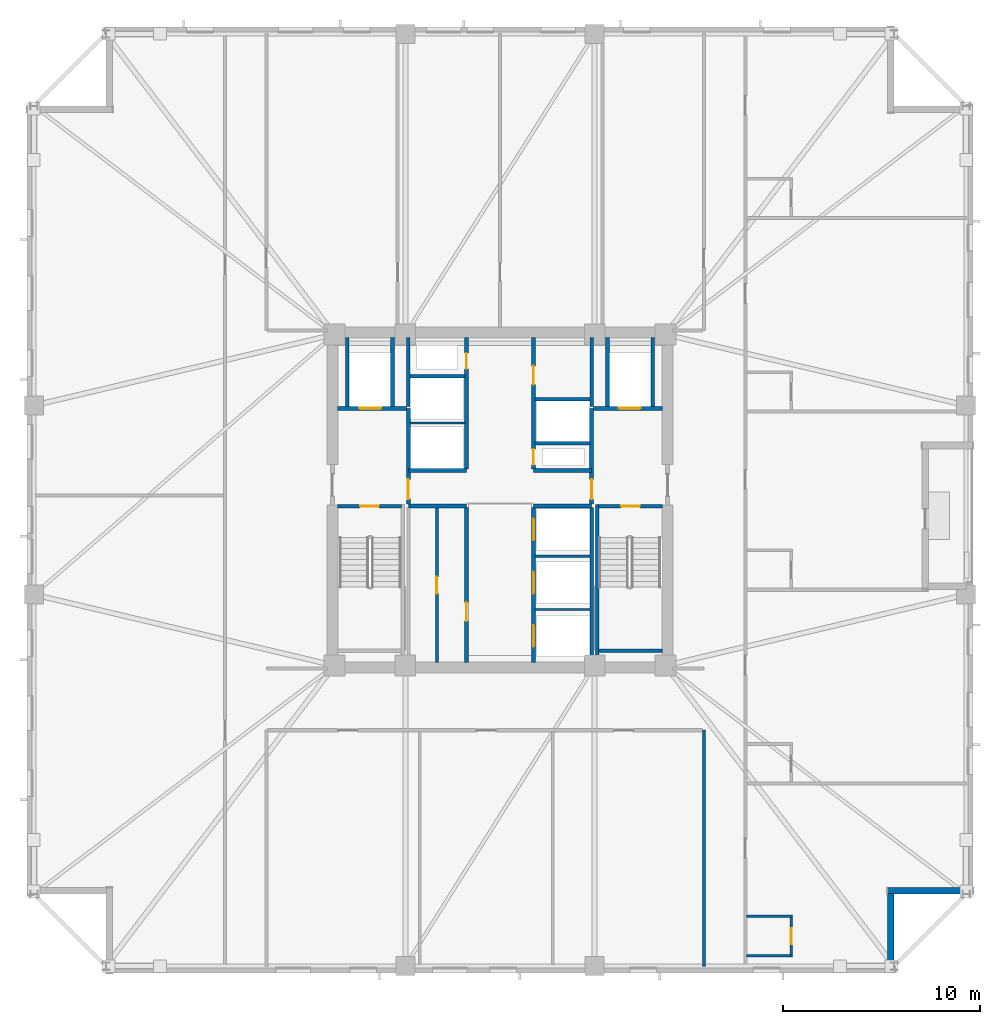
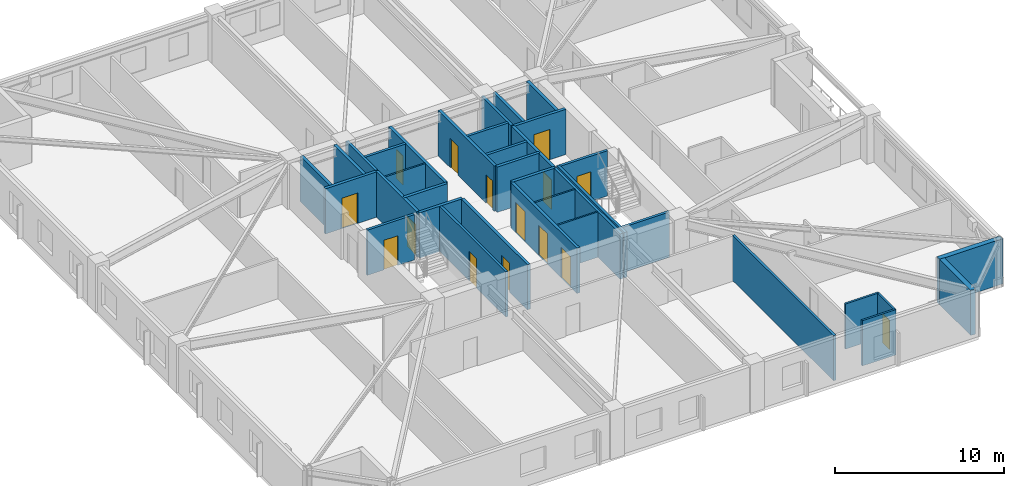
# One storey, part 3 of 10: 36 walls, 15 doors, 15 openings.
"""IFC4 building model written with IfcOpenShell, lengths in metres."""

from ifc_helpers import new_model, si_unit, direction, frame, frame_2d, origin, place, context, subcontext, project, spatial, rectangle, extrude, material, layer, layer_set, type_object, element, fill, save


model = new_model("IFC4")

# Units and contexts
model_context = context("Model", 3, precision=1e-05, world=origin(), true_north=direction((0.0, 1.0)))
body_context = subcontext(model_context, "Body", "Model", "MODEL_VIEW")
ifc_project = project(units=[si_unit("LENGTHUNIT", "METRE"), si_unit("AREAUNIT", "SQUARE_METRE"), si_unit("VOLUMEUNIT", "CUBIC_METRE"), si_unit("PLANEANGLEUNIT", "RADIAN"), si_unit("MASSUNIT", "GRAM", prefix="KILO")], contexts=[model_context])

# Site, building, storey
site_placement = place(None, origin())
site = spatial("IfcSite", under=ifc_project, at=site_placement, CompositionType="ELEMENT")
building_placement = place(site_placement, origin())
building = spatial("IfcBuilding", under=site, at=building_placement, Name="Cairnveth Concourse Tower", CompositionType="ELEMENT")
storey_placement = place(building_placement, frame((0.0, 0.0, 183.0)))
storey = spatial("IfcBuildingStorey", under=building, at=storey_placement, Name="L50", CompositionType="ELEMENT", Elevation=183.0)

# Wall, opening, door
ifc_material_1 = material(Name="Gypsum Plasterboard Partition", Category="gypsum")
ifc_layer_1 = layer(ifc_material_1, 0.159912109375)
ifc_layer_set_1 = layer_set([ifc_layer_1], Name="Gypsum Plasterboard Partition")
wall_type_1 = type_object("IfcWallType", Name="ACOUSTIC PARTY WALL 180", PredefinedType="PARTITIONING", material=ifc_layer_set_1)
wall_1_placement = place(storey_placement, frame((48.800048828125, 30.760009765625, 0.0), z_axis=(0.0, 0.0, 1.0), x_axis=(0.0, 1.0, 0.0)))
wall_1 = element("IfcWall", 1, at=wall_1_placement, inside=storey, type_object=wall_type_1, Name="Interior Wall IW-L50-026", PredefinedType="PARTITIONING", context=body_context, shape_type="SweptSolid", body=[
    extrude(rectangle(XDim=7.85498046875, YDim=0.159912109375, at=frame_2d((3.927490234375, 0.0))), origin(), (0.0, 0.0, 1.0), 3.280029296875),
])
opening_1_placement = place(wall_1_placement, frame((3.489990234375, 0.0, 0.0)))
opening_1 = element("IfcOpeningElement", 2, at=opening_1_placement, cuts=wall_1, Name="Opening ID19", PredefinedType="OPENING", context=body_context, shape_type="SweptSolid", body=[
    extrude(rectangle(XDim=0.85009765625, YDim=2.1201171875, at=frame_2d((0.425048828125, 1.06005859375))), frame((0.0, 0.08984375, 0.0), z_axis=(0.0, -1.0, 0.0), x_axis=(1.0, 0.0, 0.0)), (0.0, 0.0, 1.0), 0.179931640625),
])
ifc_material_2 = material(Name="Steel Grade 350", Category="steel")
door_type_1 = type_object("IfcDoorType", Name="CORE SERVICE DOOR 850X2100", OperationType="NOTDEFINED", PredefinedType="DOOR", material=ifc_material_2)
door_1_placement = place(opening_1_placement, origin())
door_1 = element("IfcDoor", 3, at=door_1_placement, inside=storey, type_object=door_type_1, Name="Inner Store Door L50", OperationType="SINGLE_SWING_RIGHT", OverallHeight=2.1201171875, OverallWidth=0.85009765625, PredefinedType="DOOR", context=body_context, shape_type="SweptSolid", body=[
    extrude(rectangle(XDim=0.85009765625, YDim=2.1201171875, at=frame_2d((0.425048828125, 1.06005859375))), frame((0.0, 0.02490234375, 0.0), z_axis=(0.0, -1.0, 0.0), x_axis=(1.0, 0.0, 0.0)), (0.0, 0.0, 1.0), 0.050048828125),
])
fill(opening_1, door_1)

# Walls
wall_2_placement = place(storey_placement, frame((62.35009765625, 15.324951171875, 0.0), z_axis=(0.0, 0.0, 1.0), x_axis=(0.0, 1.0, 0.0)))
element("IfcWall", 4, at=wall_2_placement, inside=storey, type_object=wall_type_1, Name="Interior Wall IW-L50-042", PredefinedType="PARTITIONING", context=body_context, shape_type="SweptSolid", body=[
    extrude(rectangle(XDim=11.9951171875, YDim=0.159912109375, at=frame_2d((5.99755859375, 0.0))), origin(), (0.0, 0.0, 1.0), 3.280029296875),
])
ifc_material_3 = material(Name="Concrete N50 (50 MPa)", Category="concrete")
ifc_layer_2 = layer(ifc_material_3, 0.179931640625)
ifc_layer_set_2 = layer_set([ifc_layer_2], Name="Concrete N50 (50 MPa)")
wall_type_2 = type_object("IfcWallType", Name="FIRE SHAFT WALL 180", PredefinedType="SOLIDWALL", material=ifc_layer_set_2)
wall_3_placement = place(storey_placement, frame((56.64990234375, 30.760009765625, 0.0), z_axis=(0.0, 0.0, 1.0), x_axis=(0.0, 1.0, 0.0)))
element("IfcWall", 5, at=wall_3_placement, inside=storey, type_object=wall_type_2, Name="Interior Wall IW-L50-027", PredefinedType="SOLIDWALL", context=body_context, shape_type="SweptSolid", body=[
    extrude(rectangle(XDim=7.85498046875, YDim=0.179931640625, at=frame_2d((3.927490234375, 0.0))), origin(), (0.0, 0.0, 1.0), 3.280029296875),
])
wall_4_placement = place(storey_placement, frame((47.35009765625, 43.735107421875, 0.0), z_axis=(0.0, 0.0, 1.0), x_axis=(0.0, 1.0, 0.0)))
element("IfcWall", 6, at=wall_4_placement, inside=storey, type_object=wall_type_2, Name="Interior Wall IW-L50-030", PredefinedType="SOLIDWALL", context=body_context, shape_type="SweptSolid", body=[
    extrude(rectangle(XDim=3.5048828125, YDim=0.179931640625, at=frame_2d((1.75244140625, 0.0))), origin(), (0.0, 0.0, 1.0), 3.280029296875),
])
wall_5_placement = place(storey_placement, frame((47.425048828125, 45.280029296875, 0.0), z_axis=(0.0, 0.0, 1.0), x_axis=(1.0, 0.0, 0.0)))
element("IfcWall", 7, at=wall_5_placement, inside=storey, type_object=wall_type_2, Name="Interior Wall IW-L50-032", PredefinedType="SOLIDWALL", context=body_context, shape_type="SweptSolid", body=[
    extrude(rectangle(XDim=2.7900390625, YDim=0.179931640625, at=frame_2d((1.39501953125, 0.0))), origin(), (0.0, 0.0, 1.0), 3.280029296875),
])
wall_6_placement = place(storey_placement, frame((56.64990234375, 43.735107421875, 0.0), z_axis=(0.0, 0.0, 1.0), x_axis=(0.0, 1.0, 0.0)))
element("IfcWall", 8, at=wall_6_placement, inside=storey, type_object=wall_type_2, Name="Interior Wall IW-L50-033", PredefinedType="SOLIDWALL", context=body_context, shape_type="SweptSolid", body=[
    extrude(rectangle(XDim=3.5048828125, YDim=0.179931640625, at=frame_2d((1.75244140625, 0.0))), origin(), (0.0, 0.0, 1.0), 3.280029296875),
])
wall_7_placement = place(storey_placement, frame((53.784912109375, 41.8798828125, 0.0), z_axis=(0.0, 0.0, 1.0), x_axis=(1.0, 0.0, 0.0)))
element("IfcWall", 9, at=wall_7_placement, inside=storey, type_object=wall_type_2, Name="Interior Wall IW-L50-034", PredefinedType="SOLIDWALL", context=body_context, shape_type="SweptSolid", body=[
    extrude(rectangle(XDim=2.780029296875, YDim=0.179931640625, at=frame_2d((1.39013671875, 0.0))), origin(), (0.0, 0.0, 1.0), 3.280029296875),
])
wall_8_placement = place(storey_placement, frame((53.784912109375, 44.1201171875, 0.0), z_axis=(0.0, 0.0, 1.0), x_axis=(1.0, 0.0, 0.0)))
element("IfcWall", 10, at=wall_8_placement, inside=storey, type_object=wall_type_2, Name="Interior Wall IW-L50-035", PredefinedType="SOLIDWALL", context=body_context, shape_type="SweptSolid", body=[
    extrude(rectangle(XDim=2.7900390625, YDim=0.179931640625, at=frame_2d((1.39501953125, 0.0))), origin(), (0.0, 0.0, 1.0), 3.280029296875),
])

# Wall, opening, door
wall_9_placement = place(storey_placement, frame((43.764892578125, 38.68994140625, 0.0), z_axis=(0.0, 0.0, 1.0), x_axis=(1.0, 0.0, 0.0)))
wall_9 = element("IfcWall", 11, at=wall_9_placement, inside=storey, type_object=wall_type_2, Name="Stair ST-1 Shaft Wall NEAR L50", PredefinedType="SOLIDWALL", context=body_context, shape_type="SweptSolid", body=[
    extrude(rectangle(XDim=3.230224609375, YDim=0.179931640625, at=frame_2d((1.615234375, 0.0))), origin(), (0.0, 0.0, 1.0), 3.280029296875),
])
opening_2_placement = place(wall_9_placement, frame((1.139892578125, 0.0, 0.0)))
opening_2 = element("IfcOpeningElement", 12, at=opening_2_placement, cuts=wall_9, Name="Opening ID12", PredefinedType="OPENING", context=body_context, shape_type="SweptSolid", body=[
    extrude(rectangle(XDim=0.949951171875, YDim=2.14990234375, at=frame_2d((0.47509765625, 1.074951171875))), frame((0.0, 0.099853515625, 0.0), z_axis=(0.0, -1.0, 0.0), x_axis=(1.0, 0.0, 0.0)), (0.0, 0.0, 1.0), 0.199951171875),
])
door_type_2 = type_object("IfcDoorType", Name="FIRE STAIR DOOR 950X2150", OperationType="NOTDEFINED", PredefinedType="DOOR", material=ifc_material_2)
door_2_placement = place(opening_2_placement, origin())
door_2 = element("IfcDoor", 13, at=door_2_placement, inside=storey, type_object=door_type_2, Name="Stair ST-1 Fire Door L50", OperationType="SINGLE_SWING_LEFT", OverallHeight=2.14990234375, OverallWidth=0.949951171875, PredefinedType="DOOR", context=body_context, shape_type="SweptSolid", body=[
    extrude(rectangle(XDim=0.949951171875, YDim=2.14990234375, at=frame_2d((0.47509765625, 1.074951171875))), frame((0.0, 0.02490234375, 0.0), z_axis=(0.0, -1.0, 0.0), x_axis=(1.0, 0.0, 0.0)), (0.0, 0.0, 1.0), 0.050048828125),
])
fill(opening_2, door_2)

wall_10_placement = place(storey_placement, frame((57.0048828125, 38.68994140625, 0.0), z_axis=(0.0, 0.0, 1.0), x_axis=(1.0, 0.0, 0.0)))
wall_10 = element("IfcWall", 14, at=wall_10_placement, inside=storey, type_object=wall_type_2, Name="Stair ST-2 Shaft Wall NEAR L50", PredefinedType="SOLIDWALL", context=body_context, shape_type="SweptSolid", body=[
    extrude(rectangle(XDim=3.230224609375, YDim=0.179931640625, at=frame_2d((1.615234375, 0.0))), origin(), (0.0, 0.0, 1.0), 3.280029296875),
])
opening_3_placement = place(wall_10_placement, frame((1.139892578125, 0.0, 0.0)))
opening_3 = element("IfcOpeningElement", 15, at=opening_3_placement, cuts=wall_10, Name="Opening ID12", PredefinedType="OPENING", context=body_context, shape_type="SweptSolid", body=[
    extrude(rectangle(XDim=0.949951171875, YDim=2.14990234375, at=frame_2d((0.47509765625, 1.074951171875))), frame((0.0, 0.099853515625, 0.0), z_axis=(0.0, -1.0, 0.0), x_axis=(1.0, 0.0, 0.0)), (0.0, 0.0, 1.0), 0.199951171875),
])
door_3_placement = place(opening_3_placement, origin())
door_3 = element("IfcDoor", 16, at=door_3_placement, inside=storey, type_object=door_type_2, Name="Stair ST-2 Fire Door L50", OperationType="SINGLE_SWING_RIGHT", OverallHeight=2.14990234375, OverallWidth=0.949951171875, PredefinedType="DOOR", context=body_context, shape_type="SweptSolid", body=[
    extrude(rectangle(XDim=0.949951171875, YDim=2.14990234375, at=frame_2d((0.47509765625, 1.074951171875))), frame((0.0, 0.02490234375, 0.0), z_axis=(0.0, -1.0, 0.0), x_axis=(1.0, 0.0, 0.0)), (0.0, 0.0, 1.0), 0.050048828125),
])
fill(opening_3, door_3)

# Walls
wall_11_placement = place(storey_placement, frame((57.0048828125, 31.360107421875, 0.0), z_axis=(0.0, 0.0, 1.0), x_axis=(1.0, 0.0, 0.0)))
element("IfcWall", 17, at=wall_11_placement, inside=storey, type_object=wall_type_2, Name="Stair ST-2 Shaft Wall FAR L50", PredefinedType="SOLIDWALL", context=body_context, shape_type="SweptSolid", body=[
    extrude(rectangle(XDim=3.230224609375, YDim=0.179931640625, at=frame_2d((1.615234375, 0.0))), origin(), (0.0, 0.0, 1.0), 3.280029296875),
])
wall_12_placement = place(storey_placement, frame((56.929931640625, 38.780029296875, 0.0), z_axis=(0.0, 0.0, 1.0), x_axis=(0.0, -1.0, 0.0)))
element("IfcWall", 18, at=wall_12_placement, inside=storey, type_object=wall_type_2, Name="Stair ST-2 Shaft Wall LEFT L50", PredefinedType="SOLIDWALL", context=body_context, shape_type="SweptSolid", body=[
    extrude(rectangle(XDim=8.01708984375, YDim=0.179931640625, at=frame_2d((4.008544921875, 0.0))), origin(), (0.0, 0.0, 1.0), 3.280029296875),
])
ifc_layer_3 = layer(ifc_material_3, 0.199951171875)
ifc_layer_set_3 = layer_set([ifc_layer_3], Name="Concrete N50 (50 MPa)")
wall_type_3 = type_object("IfcWallType", Name="FIRE SHAFT WALL 200", PredefinedType="SOLIDWALL", material=ifc_layer_set_3)
for number, where, z_axis, x_axis, name in (
    (19, (47.35009765625, 38.699951171875, 0.0), (0.0, 0.0, 1.0), (1.0, 0.0, 0.0), "Interior Wall IW-L50-007"),
    (20, (47.35009765625, 40.5, 0.0), (0.0, 0.0, 1.0), (1.0, 0.0, 0.0), "Interior Wall IW-L50-008"),
    (21, (53.699951171875, 38.699951171875, 0.0), (0.0, 0.0, 1.0), (1.0, 0.0, 0.0), "Interior Wall IW-L50-009"),
    (22, (53.699951171875, 40.5, 0.0), (0.0, 0.0, 1.0), (1.0, 0.0, 0.0), "Interior Wall IW-L50-010"),
):
    element("IfcWall", number, at=place(storey_placement, frame(where, z_axis=z_axis, x_axis=x_axis)), inside=storey, type_object=wall_type_3, Name=name, PredefinedType="SOLIDWALL", context=body_context, shape_type="SweptSolid", body=[
        extrude(rectangle(XDim=2.949951171875, YDim=0.199951171875, at=frame_2d((1.47509765625, 0.0))), origin(), (0.0, 0.0, 1.0), 3.280029296875),
    ])

# Wall, opening, door
wall_13_placement = place(storey_placement, frame((50.300048828125, 30.760009765625, 0.0), z_axis=(0.0, 0.0, 1.0), x_axis=(0.0, 1.0, 0.0)))
wall_13 = element("IfcWall", 23, at=wall_13_placement, inside=storey, type_object=wall_type_3, Name="Interior Wall IW-L50-011", PredefinedType="SOLIDWALL", context=body_context, shape_type="SweptSolid", body=[
    extrude(rectangle(XDim=7.85498046875, YDim=0.199951171875, at=frame_2d((3.927490234375, 0.0))), origin(), (0.0, 0.0, 1.0), 3.280029296875),
])
opening_4_placement = place(wall_13_placement, frame((2.090087890625, 0.0, 0.0)))
opening_4 = element("IfcOpeningElement", 24, at=opening_4_placement, cuts=wall_13, Name="Opening ID25", PredefinedType="OPENING", context=body_context, shape_type="SweptSolid", body=[
    extrude(rectangle(XDim=0.949951171875, YDim=2.1201171875, at=frame_2d((0.47509765625, 1.06005859375))), frame((0.0, 0.10986328125, 0.0), z_axis=(0.0, -1.0, 0.0), x_axis=(1.0, 0.0, 0.0)), (0.0, 0.0, 1.0), 0.219970703125),
])
door_type_3 = type_object("IfcDoorType", Name="CORE ACCESSIBLE FIRE DOOR 950X2120", OperationType="NOTDEFINED", PredefinedType="DOOR", material=ifc_material_2)
door_4_placement = place(opening_4_placement, origin())
door_4 = element("IfcDoor", 25, at=door_4_placement, inside=storey, type_object=door_type_3, Name="Accessible WC Suite Door L50", OperationType="SINGLE_SWING_LEFT", OverallHeight=2.1201171875, OverallWidth=0.949951171875, PredefinedType="DOOR", context=body_context, shape_type="SweptSolid", body=[
    extrude(rectangle(XDim=0.949951171875, YDim=2.1201171875, at=frame_2d((0.47509765625, 1.06005859375))), frame((0.0, 0.02490234375, 0.0), z_axis=(0.0, -1.0, 0.0), x_axis=(1.0, 0.0, 0.0)), (0.0, 0.0, 1.0), 0.050048828125),
])
fill(opening_4, door_4)

# Wall, openings, doors
wall_14_placement = place(storey_placement, frame((53.699951171875, 30.760009765625, 0.0), z_axis=(0.0, 0.0, 1.0), x_axis=(0.0, 1.0, 0.0)))
wall_14 = element("IfcWall", 26, at=wall_14_placement, inside=storey, type_object=wall_type_3, Name="Interior Wall IW-L50-012", PredefinedType="SOLIDWALL", context=body_context, shape_type="SweptSolid", body=[
    extrude(rectangle(XDim=7.85498046875, YDim=0.199951171875, at=frame_2d((3.927490234375, 0.0))), origin(), (0.0, 0.0, 1.0), 3.280029296875),
])
opening_5_placement = place(wall_14_placement, frame((0.7900390625, 0.0, 0.0)))
opening_5 = element("IfcOpeningElement", 27, at=opening_5_placement, cuts=wall_14, Name="Opening LD-1", PredefinedType="OPENING", context=body_context, shape_type="SweptSolid", body=[
    extrude(rectangle(XDim=1.10009765625, YDim=2.199951171875, at=frame_2d((0.550048828125, 1.10009765625))), frame((0.0, 0.10986328125, 0.0), z_axis=(0.0, -1.0, 0.0), x_axis=(1.0, 0.0, 0.0)), (0.0, 0.0, 1.0), 0.219970703125),
])
opening_6_placement = place(wall_14_placement, frame((3.489990234375, 0.0, 0.0)))
opening_6 = element("IfcOpeningElement", 28, at=opening_6_placement, cuts=wall_14, Name="Opening LD-1", PredefinedType="OPENING", context=body_context, shape_type="SweptSolid", body=[
    extrude(rectangle(XDim=1.10009765625, YDim=2.199951171875, at=frame_2d((0.550048828125, 1.10009765625))), frame((0.0, 0.10986328125, 0.0), z_axis=(0.0, -1.0, 0.0), x_axis=(1.0, 0.0, 0.0)), (0.0, 0.0, 1.0), 0.219970703125),
])
opening_7_placement = place(wall_14_placement, frame((6.18994140625, 0.0, 0.0)))
opening_7 = element("IfcOpeningElement", 29, at=opening_7_placement, cuts=wall_14, Name="Opening LD-1", PredefinedType="OPENING", context=body_context, shape_type="SweptSolid", body=[
    extrude(rectangle(XDim=1.10009765625, YDim=2.199951171875, at=frame_2d((0.550048828125, 1.10009765625))), frame((0.0, 0.10986328125, 0.0), z_axis=(0.0, -1.0, 0.0), x_axis=(1.0, 0.0, 0.0)), (0.0, 0.0, 1.0), 0.219970703125),
])
ifc_material_4 = material(Name="Architectural Bronze Anodised Aluminium 6063-T6", Category="aluminium")
door_type_4 = type_object("IfcDoorType", Name="LIFT LANDING DOOR 1100X2200", OperationType="SLIDING_TO_LEFT", PredefinedType="DOOR", material=ifc_material_4)
door_5_placement = place(opening_5_placement, origin())
door_5 = element("IfcDoor", 30, at=door_5_placement, inside=storey, type_object=door_type_4, Name="Lift PL4 Landing Door L50", OperationType="SLIDING_TO_LEFT", OverallHeight=2.199951171875, OverallWidth=1.10009765625, PredefinedType="DOOR", context=body_context, shape_type="SweptSolid", body=[
    extrude(rectangle(XDim=1.10009765625, YDim=2.199951171875, at=frame_2d((0.550048828125, 1.10009765625))), frame((0.0, 0.02490234375, 0.0), z_axis=(0.0, -1.0, 0.0), x_axis=(1.0, 0.0, 0.0)), (0.0, 0.0, 1.0), 0.050048828125),
])
fill(opening_5, door_5)
door_6_placement = place(opening_6_placement, origin())
door_6 = element("IfcDoor", 31, at=door_6_placement, inside=storey, type_object=door_type_4, Name="Lift PL5 Landing Door L50", OperationType="SLIDING_TO_LEFT", OverallHeight=2.199951171875, OverallWidth=1.10009765625, PredefinedType="DOOR", context=body_context, shape_type="SweptSolid", body=[
    extrude(rectangle(XDim=1.10009765625, YDim=2.199951171875, at=frame_2d((0.550048828125, 1.10009765625))), frame((0.0, 0.02490234375, 0.0), z_axis=(0.0, -1.0, 0.0), x_axis=(1.0, 0.0, 0.0)), (0.0, 0.0, 1.0), 0.050048828125),
])
fill(opening_6, door_6)
door_7_placement = place(opening_7_placement, origin())
door_7 = element("IfcDoor", 32, at=door_7_placement, inside=storey, type_object=door_type_4, Name="Lift PL6 Landing Door L50", OperationType="SLIDING_TO_LEFT", OverallHeight=2.199951171875, OverallWidth=1.10009765625, PredefinedType="DOOR", context=body_context, shape_type="SweptSolid", body=[
    extrude(rectangle(XDim=1.10009765625, YDim=2.199951171875, at=frame_2d((0.550048828125, 1.10009765625))), frame((0.0, 0.02490234375, 0.0), z_axis=(0.0, -1.0, 0.0), x_axis=(1.0, 0.0, 0.0)), (0.0, 0.0, 1.0), 0.050048828125),
])
fill(opening_7, door_7)

# Wall, opening, door
wall_15_placement = place(storey_placement, frame((50.300048828125, 40.5849609375, 0.0), z_axis=(0.0, 0.0, 1.0), x_axis=(0.0, 1.0, 0.0)))
wall_15 = element("IfcWall", 33, at=wall_15_placement, inside=storey, type_object=wall_type_3, Name="Interior Wall IW-L50-013", PredefinedType="SOLIDWALL", context=body_context, shape_type="SweptSolid", body=[
    extrude(rectangle(XDim=6.655029296875, YDim=0.199951171875, at=frame_2d((3.32763671875, 0.0))), origin(), (0.0, 0.0, 1.0), 3.280029296875),
])
opening_8_placement = place(wall_15_placement, frame((5.06494140625, 0.0, 0.0)))
opening_8 = element("IfcOpeningElement", 34, at=opening_8_placement, cuts=wall_15, Name="Opening ID24", PredefinedType="OPENING", context=body_context, shape_type="SweptSolid", body=[
    extrude(rectangle(XDim=0.800048828125, YDim=2.080078125, at=frame_2d((0.39990234375, 1.0400390625))), frame((0.0, 0.10986328125, 0.0), z_axis=(0.0, -1.0, 0.0), x_axis=(1.0, 0.0, 0.0)), (0.0, 0.0, 1.0), 0.219970703125),
])
door_type_5 = type_object("IfcDoorType", Name="RISER ACCESS DOOR 800X2100", OperationType="NOTDEFINED", PredefinedType="DOOR", material=ifc_material_2)
door_8_placement = place(opening_8_placement, origin())
door_8 = element("IfcDoor", 35, at=door_8_placement, inside=storey, type_object=door_type_5, Name="NW Electrical Riser Access Door L50", OperationType="SINGLE_SWING_RIGHT", OverallHeight=2.080078125, OverallWidth=0.800048828125, PredefinedType="DOOR", context=body_context, shape_type="SweptSolid", body=[
    extrude(rectangle(XDim=0.800048828125, YDim=2.080078125, at=frame_2d((0.39990234375, 1.0400390625))), frame((0.0, 0.02490234375, 0.0), z_axis=(0.0, -1.0, 0.0), x_axis=(1.0, 0.0, 0.0)), (0.0, 0.0, 1.0), 0.050048828125),
])
fill(opening_8, door_8)

# Wall, openings, doors
wall_16_placement = place(storey_placement, frame((53.699951171875, 40.5849609375, 0.0), z_axis=(0.0, 0.0, 1.0), x_axis=(0.0, 1.0, 0.0)))
wall_16 = element("IfcWall", 36, at=wall_16_placement, inside=storey, type_object=wall_type_3, Name="Interior Wall IW-L50-014", PredefinedType="SOLIDWALL", context=body_context, shape_type="SweptSolid", body=[
    extrude(rectangle(XDim=6.655029296875, YDim=0.199951171875, at=frame_2d((3.32763671875, 0.0))), origin(), (0.0, 0.0, 1.0), 3.280029296875),
])
opening_9_placement = place(wall_16_placement, frame((0.195068359375, 0.0, 0.0)))
opening_9 = element("IfcOpeningElement", 37, at=opening_9_placement, cuts=wall_16, Name="Opening ID24", PredefinedType="OPENING", context=body_context, shape_type="SweptSolid", body=[
    extrude(rectangle(XDim=0.800048828125, YDim=2.080078125, at=frame_2d((0.39990234375, 1.0400390625))), frame((0.0, 0.10986328125, 0.0), z_axis=(0.0, -1.0, 0.0), x_axis=(1.0, 0.0, 0.0)), (0.0, 0.0, 1.0), 0.219970703125),
])
opening_10_placement = place(wall_16_placement, frame((4.264892578125, 0.0, 0.0)))
opening_10 = element("IfcOpeningElement", 38, at=opening_10_placement, cuts=wall_16, Name="Opening ID25", PredefinedType="OPENING", context=body_context, shape_type="SweptSolid", body=[
    extrude(rectangle(XDim=0.949951171875, YDim=2.1201171875, at=frame_2d((0.47509765625, 1.06005859375))), frame((0.0, 0.10986328125, 0.0), z_axis=(0.0, -1.0, 0.0), x_axis=(1.0, 0.0, 0.0)), (0.0, 0.0, 1.0), 0.219970703125),
])
door_9_placement = place(opening_10_placement, origin())
door_9 = element("IfcDoor", 39, at=door_9_placement, inside=storey, type_object=door_type_3, Name="Core NE Accessible WC Door L50", OperationType="SINGLE_SWING_RIGHT", OverallHeight=2.1201171875, OverallWidth=0.949951171875, PredefinedType="DOOR", context=body_context, shape_type="SweptSolid", body=[
    extrude(rectangle(XDim=0.949951171875, YDim=2.1201171875, at=frame_2d((0.47509765625, 1.06005859375))), frame((0.0, 0.02490234375, 0.0), z_axis=(0.0, -1.0, 0.0), x_axis=(1.0, 0.0, 0.0)), (0.0, 0.0, 1.0), 0.050048828125),
])
fill(opening_10, door_9)
door_10_placement = place(opening_9_placement, origin())
door_10 = element("IfcDoor", 40, at=door_10_placement, inside=storey, type_object=door_type_5, Name="Hydraulic Riser Door L50", OperationType="SINGLE_SWING_LEFT", OverallHeight=2.080078125, OverallWidth=0.800048828125, PredefinedType="DOOR", context=body_context, shape_type="SweptSolid", body=[
    extrude(rectangle(XDim=0.800048828125, YDim=2.080078125, at=frame_2d((0.39990234375, 1.0400390625))), frame((0.0, 0.02490234375, 0.0), z_axis=(0.0, -1.0, 0.0), x_axis=(1.0, 0.0, 0.0)), (0.0, 0.0, 1.0), 0.050048828125),
])
fill(opening_9, door_10)

# Wall, opening, door
wall_17_placement = place(storey_placement, frame((47.35009765625, 38.784912109375, 0.0), z_axis=(0.0, 0.0, 1.0), x_axis=(0.0, 1.0, 0.0)))
wall_17 = element("IfcWall", 41, at=wall_17_placement, inside=storey, type_object=wall_type_3, Name="Interior Wall IW-L50-016", PredefinedType="SOLIDWALL", context=body_context, shape_type="SweptSolid", body=[
    extrude(rectangle(XDim=4.864990234375, YDim=0.199951171875, at=frame_2d((2.4326171875, 0.0))), origin(), (0.0, 0.0, 1.0), 3.280029296875),
])
opening_11_placement = place(wall_17_placement, frame((0.264892578125, 0.0, 0.0)))
opening_11 = element("IfcOpeningElement", 42, at=opening_11_placement, cuts=wall_17, Name="Opening ID07", PredefinedType="OPENING", context=body_context, shape_type="SweptSolid", body=[
    extrude(rectangle(XDim=1.0, YDim=2.14990234375, at=frame_2d((0.5, 1.074951171875))), frame((0.0, 0.10986328125, 0.0), z_axis=(0.0, -1.0, 0.0), x_axis=(1.0, 0.0, 0.0)), (0.0, 0.0, 1.0), 0.219970703125),
])
door_type_6 = type_object("IfcDoorType", Name="FIRE CORRIDOR DOOR 1000X2150", OperationType="NOTDEFINED", PredefinedType="DOOR", material=ifc_material_2)
door_11_placement = place(opening_11_placement, origin())
door_11 = element("IfcDoor", 43, at=door_11_placement, inside=storey, type_object=door_type_6, Name="FF Lobby West to Lift Lobby Door L50", OperationType="SINGLE_SWING_RIGHT", OverallHeight=2.14990234375, OverallWidth=1.0, PredefinedType="DOOR", context=body_context, shape_type="SweptSolid", body=[
    extrude(rectangle(XDim=1.0, YDim=2.14990234375, at=frame_2d((0.5, 1.074951171875))), frame((0.0, 0.02490234375, 0.0), z_axis=(0.0, -1.0, 0.0), x_axis=(1.0, 0.0, 0.0)), (0.0, 0.0, 1.0), 0.050048828125),
])
fill(opening_11, door_11)

wall_18_placement = place(storey_placement, frame((43.760009765625, 43.64990234375, 0.0), z_axis=(0.0, 0.0, 1.0), x_axis=(1.0, 0.0, 0.0)))
wall_18 = element("IfcWall", 44, at=wall_18_placement, inside=storey, type_object=wall_type_3, Name="Interior Wall IW-L50-017", PredefinedType="SOLIDWALL", context=body_context, shape_type="SweptSolid", body=[
    extrude(rectangle(XDim=3.5048828125, YDim=0.199951171875, at=frame_2d((1.75244140625, 0.0))), origin(), (0.0, 0.0, 1.0), 3.280029296875),
])
opening_12_placement = place(wall_18_placement, frame((1.110107421875, 0.0, 0.0)))
opening_12 = element("IfcOpeningElement", 45, at=opening_12_placement, cuts=wall_18, Name="Opening LD-1", PredefinedType="OPENING", context=body_context, shape_type="SweptSolid", body=[
    extrude(rectangle(XDim=1.10009765625, YDim=2.199951171875, at=frame_2d((0.550048828125, 1.10009765625))), frame((0.0, 0.10986328125, 0.0), z_axis=(0.0, -1.0, 0.0), x_axis=(1.0, 0.0, 0.0)), (0.0, 0.0, 1.0), 0.219970703125),
])
door_12_placement = place(opening_12_placement, origin())
door_12 = element("IfcDoor", 46, at=door_12_placement, inside=storey, type_object=door_type_4, Name="Lift FFL1 Landing Door L50", OperationType="SLIDING_TO_LEFT", OverallHeight=2.199951171875, OverallWidth=1.10009765625, PredefinedType="DOOR", context=body_context, shape_type="SweptSolid", body=[
    extrude(rectangle(XDim=1.10009765625, YDim=2.199951171875, at=frame_2d((0.550048828125, 1.10009765625))), frame((0.0, 0.02490234375, 0.0), z_axis=(0.0, -1.0, 0.0), x_axis=(1.0, 0.0, 0.0)), (0.0, 0.0, 1.0), 0.050048828125),
])
fill(opening_12, door_12)

# Walls
for number, where, z_axis, x_axis, name in (
    (47, (46.550048828125, 43.735107421875, 0.0), (0.0, 0.0, 1.0), (0.0, 1.0, 0.0), "Interior Wall IW-L50-018"),
    (48, (44.25, 43.735107421875, 0.0), (0.0, 0.0, 1.0), (0.0, 1.0, 0.0), "Interior Wall IW-L50-019"),
):
    element("IfcWall", number, at=place(storey_placement, frame(where, z_axis=z_axis, x_axis=x_axis)), inside=storey, type_object=wall_type_3, Name=name, PredefinedType="SOLIDWALL", context=body_context, shape_type="SweptSolid", body=[
        extrude(rectangle(XDim=3.5048828125, YDim=0.199951171875, at=frame_2d((1.75244140625, 0.0))), origin(), (0.0, 0.0, 1.0), 3.280029296875),
    ])

# Wall, opening, door
wall_19_placement = place(storey_placement, frame((56.64990234375, 38.784912109375, 0.0), z_axis=(0.0, 0.0, 1.0), x_axis=(0.0, 1.0, 0.0)))
wall_19 = element("IfcWall", 49, at=wall_19_placement, inside=storey, type_object=wall_type_3, Name="Interior Wall IW-L50-021", PredefinedType="SOLIDWALL", context=body_context, shape_type="SweptSolid", body=[
    extrude(rectangle(XDim=4.864990234375, YDim=0.199951171875, at=frame_2d((2.4326171875, 0.0))), origin(), (0.0, 0.0, 1.0), 3.280029296875),
])
opening_13_placement = place(wall_19_placement, frame((0.264892578125, 0.0, 0.0)))
opening_13 = element("IfcOpeningElement", 50, at=opening_13_placement, cuts=wall_19, Name="Opening ID07", PredefinedType="OPENING", context=body_context, shape_type="SweptSolid", body=[
    extrude(rectangle(XDim=1.0, YDim=2.14990234375, at=frame_2d((0.5, 1.074951171875))), frame((0.0, 0.10986328125, 0.0), z_axis=(0.0, -1.0, 0.0), x_axis=(1.0, 0.0, 0.0)), (0.0, 0.0, 1.0), 0.219970703125),
])
door_13_placement = place(opening_13_placement, origin())
door_13 = element("IfcDoor", 51, at=door_13_placement, inside=storey, type_object=door_type_6, Name="FF Lobby East to Lift Lobby Door L50", OperationType="SINGLE_SWING_LEFT", OverallHeight=2.14990234375, OverallWidth=1.0, PredefinedType="DOOR", context=body_context, shape_type="SweptSolid", body=[
    extrude(rectangle(XDim=1.0, YDim=2.14990234375, at=frame_2d((0.5, 1.074951171875))), frame((0.0, 0.02490234375, 0.0), z_axis=(0.0, -1.0, 0.0), x_axis=(1.0, 0.0, 0.0)), (0.0, 0.0, 1.0), 0.050048828125),
])
fill(opening_13, door_13)

wall_20_placement = place(storey_placement, frame((56.735107421875, 43.64990234375, 0.0), z_axis=(0.0, 0.0, 1.0), x_axis=(1.0, 0.0, 0.0)))
wall_20 = element("IfcWall", 52, at=wall_20_placement, inside=storey, type_object=wall_type_3, Name="Interior Wall IW-L50-022", PredefinedType="SOLIDWALL", context=body_context, shape_type="SweptSolid", body=[
    extrude(rectangle(XDim=3.5048828125, YDim=0.199951171875, at=frame_2d((1.75244140625, 0.0))), origin(), (0.0, 0.0, 1.0), 3.280029296875),
])
opening_14_placement = place(wall_20_placement, frame((1.294921875, 0.0, 0.0)))
opening_14 = element("IfcOpeningElement", 53, at=opening_14_placement, cuts=wall_20, Name="Opening LD-1", PredefinedType="OPENING", context=body_context, shape_type="SweptSolid", body=[
    extrude(rectangle(XDim=1.10009765625, YDim=2.199951171875, at=frame_2d((0.550048828125, 1.10009765625))), frame((0.0, 0.10986328125, 0.0), z_axis=(0.0, -1.0, 0.0), x_axis=(1.0, 0.0, 0.0)), (0.0, 0.0, 1.0), 0.219970703125),
])
door_14_placement = place(opening_14_placement, origin())
door_14 = element("IfcDoor", 54, at=door_14_placement, inside=storey, type_object=door_type_4, Name="Lift FFL2 Landing Door L50", OperationType="SLIDING_TO_LEFT", OverallHeight=2.199951171875, OverallWidth=1.10009765625, PredefinedType="DOOR", context=body_context, shape_type="SweptSolid", body=[
    extrude(rectangle(XDim=1.10009765625, YDim=2.199951171875, at=frame_2d((0.550048828125, 1.10009765625))), frame((0.0, 0.02490234375, 0.0), z_axis=(0.0, -1.0, 0.0), x_axis=(1.0, 0.0, 0.0)), (0.0, 0.0, 1.0), 0.050048828125),
])
fill(opening_14, door_14)

# Walls
for number, where, z_axis, x_axis, name in (
    (55, (57.449951171875, 43.735107421875, 0.0), (0.0, 0.0, 1.0), (0.0, 1.0, 0.0), "Interior Wall IW-L50-023"),
    (56, (59.75, 43.735107421875, 0.0), (0.0, 0.0, 1.0), (0.0, 1.0, 0.0), "Interior Wall IW-L50-024"),
):
    element("IfcWall", number, at=place(storey_placement, frame(where, z_axis=z_axis, x_axis=x_axis)), inside=storey, type_object=wall_type_3, Name=name, PredefinedType="SOLIDWALL", context=body_context, shape_type="SweptSolid", body=[
        extrude(rectangle(XDim=3.5048828125, YDim=0.199951171875, at=frame_2d((1.75244140625, 0.0))), origin(), (0.0, 0.0, 1.0), 3.280029296875),
    ])
ifc_layer_4 = layer(ifc_material_1, 0.110107421875)
ifc_layer_set_4 = layer_set([ifc_layer_4], Name="Gypsum Plasterboard Partition")
wall_type_4 = type_object("IfcWallType", Name="SHAFT DIVIDER WALL 140", PredefinedType="PARTITIONING", material=ifc_layer_set_4)
for number, where, z_axis, x_axis, name in (
    (57, (53.784912109375, 33.449951171875, 0.0), (0.0, 0.0, 1.0), (1.0, 0.0, 0.0), "Interior Wall IW-L50-028"),
    (58, (53.784912109375, 36.14990234375, 0.0), (0.0, 0.0, 1.0), (1.0, 0.0, 0.0), "Interior Wall IW-L50-029"),
):
    element("IfcWall", number, at=place(storey_placement, frame(where, z_axis=z_axis, x_axis=x_axis)), inside=storey, type_object=wall_type_4, Name=name, PredefinedType="PARTITIONING", context=body_context, shape_type="SweptSolid", body=[
        extrude(rectangle(XDim=2.7900390625, YDim=0.110107421875, at=frame_2d((1.39501953125, 0.0))), origin(), (0.0, 0.0, 1.0), 3.280029296875),
    ])
wall_21_placement = place(storey_placement, frame((47.43505859375, 42.89990234375, 0.0), z_axis=(0.0, 0.0, 1.0), x_axis=(1.0, 0.0, 0.0)))
element("IfcWall", 59, at=wall_21_placement, inside=storey, type_object=wall_type_4, Name="Interior Wall IW-L50-031", PredefinedType="PARTITIONING", context=body_context, shape_type="SweptSolid", body=[
    extrude(rectangle(XDim=2.780029296875, YDim=0.110107421875, at=frame_2d((1.39013671875, 0.0))), origin(), (0.0, 0.0, 1.0), 3.280029296875),
])
ifc_layer_5 = layer(ifc_material_1, 0.1298828125)
ifc_layer_set_5 = layer_set([ifc_layer_5], Name="Gypsum Plasterboard Partition")
wall_type_5 = type_object("IfcWallType", Name="WET AREA PARTITION 140", PredefinedType="PLUMBINGWALL", material=ifc_layer_set_5)
for number, where, z_axis, x_axis, name in (
    (60, (64.514892578125, 15.8701171875, 0.0), (0.0, 0.0, 1.0), (1.0, 0.0, 0.0), "Interior Wall IW-L50-053"),
    (61, (64.514892578125, 17.8701171875, 0.0), (0.0, 0.0, 1.0), (1.0, 0.0, 0.0), "Interior Wall IW-L50-054"),
):
    element("IfcWall", number, at=place(storey_placement, frame(where, z_axis=z_axis, x_axis=x_axis)), inside=storey, type_object=wall_type_5, Name=name, PredefinedType="PLUMBINGWALL", context=body_context, shape_type="SweptSolid", body=[
        extrude(rectangle(XDim=2.315185546875, YDim=0.1298828125, at=frame_2d((1.15771484375, 0.0))), origin(), (0.0, 0.0, 1.0), 3.280029296875),
    ])

# Wall, opening, door
wall_22_placement = place(storey_placement, frame((66.780029296875, 15.919921875, 0.0), z_axis=(0.0, 0.0, 1.0), x_axis=(0.0, 1.0, 0.0)))
wall_22 = element("IfcWall", 62, at=wall_22_placement, inside=storey, type_object=wall_type_5, Name="Interior Wall IW-L50-055", PredefinedType="PLUMBINGWALL", context=body_context, shape_type="SweptSolid", body=[
    extrude(rectangle(XDim=1.900146484375, YDim=0.1298828125, at=frame_2d((0.9501953125, 0.0))), origin(), (0.0, 0.0, 1.0), 3.280029296875),
])
opening_15_placement = place(wall_22_placement, frame((0.5400390625, 0.0, 0.0)))
opening_15 = element("IfcOpeningElement", 63, at=opening_15_placement, cuts=wall_22, Name="Opening ID22", PredefinedType="OPENING", context=body_context, shape_type="SweptSolid", body=[
    extrude(rectangle(XDim=0.820068359375, YDim=2.10009765625, at=frame_2d((0.41015625, 1.050048828125))), frame((0.0, 0.074951171875, 0.0), z_axis=(0.0, -1.0, 0.0), x_axis=(1.0, 0.0, 0.0)), (0.0, 0.0, 1.0), 0.14990234375),
])
ifc_material_5 = material(Name="Solid Core Hardwood Timber Leaf", Category="wood")
door_type_7 = type_object("IfcDoorType", Name="INTERIOR WC DOOR 820X2100", OperationType="NOTDEFINED", PredefinedType="DOOR", material=ifc_material_5)
door_15_placement = place(opening_15_placement, origin())
door_15 = element("IfcDoor", 64, at=door_15_placement, inside=storey, type_object=door_type_7, Name="En-Suite Door L50-E1", OperationType="SINGLE_SWING_RIGHT", OverallHeight=2.10009765625, OverallWidth=0.820068359375, PredefinedType="DOOR", context=body_context, shape_type="SweptSolid", body=[
    extrude(rectangle(XDim=0.820068359375, YDim=2.10009765625, at=frame_2d((0.41015625, 1.050048828125))), frame((0.0, 0.02490234375, 0.0), z_axis=(0.0, -1.0, 0.0), x_axis=(1.0, 0.0, 0.0)), (0.0, 0.0, 1.0), 0.050048828125),
])
fill(opening_15, door_15)

# Walls
ifc_material_6 = material(Name="Hawthorn Red-Ochre Fired Clay Brick Masonry", Category="masonry")
ifc_layer_6 = layer(ifc_material_6, 0.340087890625)
ifc_layer_set_6 = layer_set([ifc_layer_6], Name="Hawthorn Red-Ochre Fired Clay Brick Masonry")
wall_type_6 = type_object("IfcWallType", Name="ZONE 2 BRICK PIER SPANDREL WALL 340", PredefinedType="SOLIDWALL", material=ifc_layer_set_6)
wall_23_placement = place(storey_placement, frame((76.0, 19.169921875, 0.0), z_axis=(0.0, 0.0, 1.0), x_axis=(-1.0, 0.0, 0.0)))
element("IfcWall", 65, at=wall_23_placement, inside=storey, type_object=wall_type_6, Name="Exterior Wall EW-L50-S01", PredefinedType="SOLIDWALL", context=body_context, shape_type="SweptSolid", body=[
    extrude(rectangle(XDim=4.340087890625, YDim=0.340087890625, at=frame_2d((2.169921875, 0.0))), origin(), (0.0, 0.0, 1.0), 3.280029296875),
])
wall_24_placement = place(storey_placement, frame((71.830078125, 19.02197265625, 0.0), z_axis=(0.0, 0.0, 1.0), x_axis=(0.0, -1.0, 0.0)))
element("IfcWall", 66, at=wall_24_placement, inside=storey, type_object=wall_type_6, Name="Exterior Wall EW-L50-S02", PredefinedType="SOLIDWALL", context=body_context, shape_type="SweptSolid", body=[
    extrude(rectangle(XDim=3.703857421875, YDim=0.340087890625, at=frame_2d((1.85205078125, 0.0))), origin(), (0.0, 0.0, 1.0), 3.280029296875),
])

save(model, "model.ifc")
